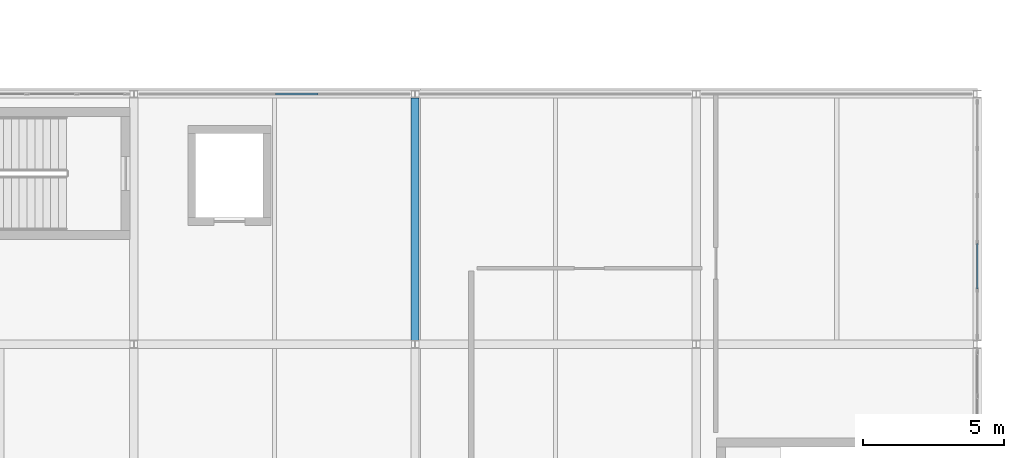
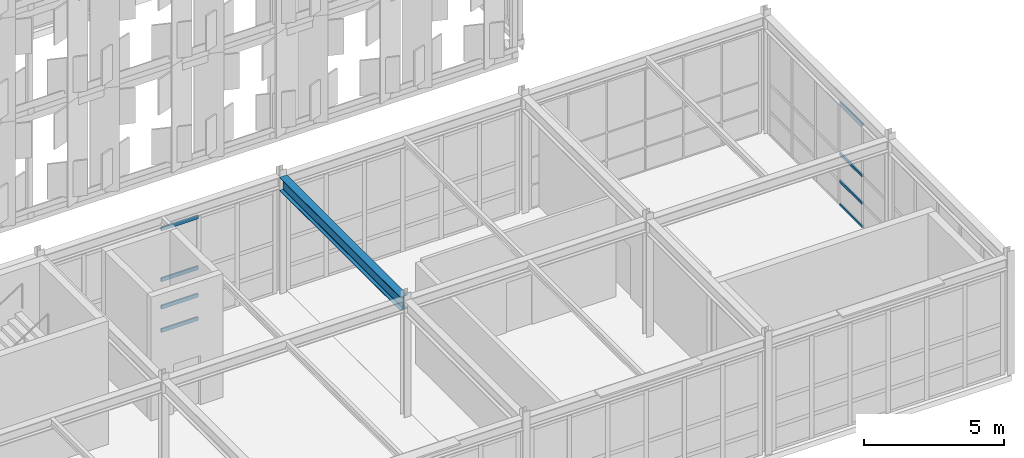
# One storey, part 152 of 239: 8 members, 1 beam, 2 elements without a shape of their own.
"""IFC4 building model written with IfcOpenShell, lengths in metres."""

from ifc_helpers import new_model, si_unit, direction, frame, origin, origin_2d, place, context, subcontext, project, spatial, hollow_rectangle, i_section, extrude, material, material_profile, profile_set, type_object, element, aggregate, save


model = new_model("IFC4")

# Units and contexts
model_context = context("Model", 3, precision=1e-05, world=origin(), true_north=direction((0.0, 1.0)))
body_context = subcontext(model_context, "Body", "Model", "MODEL_VIEW")
ifc_project = project(units=[si_unit("LENGTHUNIT", "METRE"), si_unit("AREAUNIT", "SQUARE_METRE"), si_unit("VOLUMEUNIT", "CUBIC_METRE"), si_unit("PLANEANGLEUNIT", "RADIAN"), si_unit("MASSUNIT", "GRAM", prefix="KILO")], contexts=[model_context])

# Site, building, storey
site_placement = place(None, origin())
site = spatial("IfcSite", under=ifc_project, at=site_placement, CompositionType="ELEMENT")
building_placement = place(site_placement, origin())
building = spatial("IfcBuilding", under=site, at=building_placement, Name="Kaldris Quays Convention Centre", CompositionType="ELEMENT")
storey_placement = place(building_placement, frame((0.0, 0.0, 11.39990234375)))
storey = spatial("IfcBuildingStorey", under=building, at=storey_placement, Name="L02", CompositionType="ELEMENT", Elevation=11.39990234375)

# Curtain wall, members
ifc_material_1 = material(Name="Anodized aluminium AW-6060 and triple glazing", Category="aluminium")
curtain_wall_type = type_object("IfcCurtainWallType", Name="UNITISED CURTAIN WALL CW02", PredefinedType="NOTDEFINED", material=ifc_material_1)
curtain_wall_1_placement = place(storey_placement, origin())
curtain_wall_1 = element("IfcCurtainWall", 1, at=curtain_wall_1_placement, inside=storey, type_object=curtain_wall_type, Name="L02 Unitised Curtain Wall CW02 212", PredefinedType="NOTDEFINED")
ifc_material_2 = material(Name="Anodized aluminium AW-6060", Category="aluminium")
ifc_material_profile_1 = material_profile(ifc_material_2, hollow_rectangle(XDim=0.06005859375, YDim=0.1201171875, WallThickness=0.00390625, at=origin_2d()), Name="RHS 120x60x4")
ifc_profile_set_1 = profile_set([ifc_material_profile_1], Name="Anodized aluminium AW-6060")
member_type_1 = type_object("IfcMemberType", Name="CURTAIN TRANSOM CWT1", PredefinedType="USERDEFINED", material=ifc_profile_set_1)
member_1_placement = place(storey_placement, frame((204.0, 30.4599609375, 0.030029296875), z_axis=(0.0, 1.0, 0.0), x_axis=(-1.0, 0.0, 0.0)))
member_1 = element("IfcMember", 2, at=member_1_placement, type_object=member_type_1, Name="CW02 transom 2.1", ObjectType="TRANSOM", PredefinedType="USERDEFINED", context=body_context, shape_type="SweptSolid", body=[
    extrude(hollow_rectangle(XDim=0.06005859375, YDim=0.1201171875, WallThickness=0.00390625, at=origin_2d()), origin(), (0.0, 0.0, 1.0), 1.6201171875),
])
member_2_placement = place(storey_placement, frame((204.0, 30.4599609375, 1.050048828125), z_axis=(0.0, 1.0, 0.0), x_axis=(-1.0, 0.0, 0.0)))
member_2 = element("IfcMember", 3, at=member_2_placement, type_object=member_type_1, Name="CW02 transom 2.2", ObjectType="TRANSOM", PredefinedType="USERDEFINED", context=body_context, shape_type="SweptSolid", body=[
    extrude(hollow_rectangle(XDim=0.06005859375, YDim=0.1201171875, WallThickness=0.00390625, at=origin_2d()), origin(), (0.0, 0.0, 1.0), 1.6201171875),
])
member_3_placement = place(storey_placement, frame((204.0, 30.4599609375, 2.2490234375), z_axis=(0.0, 1.0, 0.0), x_axis=(-1.0, 0.0, 0.0)))
member_3 = element("IfcMember", 4, at=member_3_placement, type_object=member_type_1, Name="CW02 transom 2.3", ObjectType="TRANSOM", PredefinedType="USERDEFINED", context=body_context, shape_type="SweptSolid", body=[
    extrude(hollow_rectangle(XDim=0.06005859375, YDim=0.1201171875, WallThickness=0.00390625, at=origin_2d()), origin(), (0.0, 0.0, 1.0), 1.6201171875),
])
member_4_placement = place(storey_placement, frame((204.0, 30.4599609375, 4.468017578125), z_axis=(0.0, 1.0, 0.0), x_axis=(-1.0, 0.0, 0.0)))
member_4 = element("IfcMember", 5, at=member_4_placement, type_object=member_type_1, Name="CW02 transom 2.4", ObjectType="TRANSOM", PredefinedType="USERDEFINED", context=body_context, shape_type="SweptSolid", body=[
    extrude(hollow_rectangle(XDim=0.06005859375, YDim=0.1201171875, WallThickness=0.00390625, at=origin_2d()), origin(), (0.0, 0.0, 1.0), 1.6201171875),
])
aggregate(curtain_wall_1, [member_1, member_2, member_3, member_4])

curtain_wall_2_placement = place(storey_placement, origin())
curtain_wall_2 = element("IfcCurtainWall", 6, at=curtain_wall_2_placement, inside=storey, type_object=curtain_wall_type, Name="L02 Unitised Curtain Wall CW02 204", PredefinedType="NOTDEFINED")
ifc_material_profile_2 = material_profile(ifc_material_2, hollow_rectangle(XDim=0.06005859375, YDim=0.159912109375, WallThickness=0.00390625, at=origin_2d()), Name="RHS 160x60x4")
ifc_profile_set_2 = profile_set([ifc_material_profile_2], Name="Anodized aluminium AW-6060")
member_type_2 = type_object("IfcMemberType", Name="CURTAIN TRANSOM CWT2", PredefinedType="USERDEFINED", material=ifc_profile_set_2)
member_5_placement = place(storey_placement, frame((179.030029296875, 37.39990234375, 0.030029296875), z_axis=(1.0, 0.0, 0.0), x_axis=(0.0, 1.0, 0.0)))
member_5 = element("IfcMember", 7, at=member_5_placement, type_object=member_type_2, Name="CW02 transom 4.1", ObjectType="TRANSOM", PredefinedType="USERDEFINED", context=body_context, shape_type="SweptSolid", body=[
    extrude(hollow_rectangle(XDim=0.06005859375, YDim=0.159912109375, WallThickness=0.00390625, at=origin_2d()), origin(), (0.0, 0.0, 1.0), 1.523193359375),
])
member_6_placement = place(storey_placement, frame((179.030029296875, 37.39990234375, 1.050048828125), z_axis=(1.0, 0.0, 0.0), x_axis=(0.0, 1.0, 0.0)))
member_6 = element("IfcMember", 8, at=member_6_placement, type_object=member_type_2, Name="CW02 transom 4.2", ObjectType="TRANSOM", PredefinedType="USERDEFINED", context=body_context, shape_type="SweptSolid", body=[
    extrude(hollow_rectangle(XDim=0.06005859375, YDim=0.159912109375, WallThickness=0.00390625, at=origin_2d()), origin(), (0.0, 0.0, 1.0), 1.523193359375),
])
member_7_placement = place(storey_placement, frame((179.030029296875, 37.39990234375, 2.2490234375), z_axis=(1.0, 0.0, 0.0), x_axis=(0.0, 1.0, 0.0)))
member_7 = element("IfcMember", 9, at=member_7_placement, type_object=member_type_2, Name="CW02 transom 4.3", ObjectType="TRANSOM", PredefinedType="USERDEFINED", context=body_context, shape_type="SweptSolid", body=[
    extrude(hollow_rectangle(XDim=0.06005859375, YDim=0.159912109375, WallThickness=0.00390625, at=origin_2d()), origin(), (0.0, 0.0, 1.0), 1.523193359375),
])
member_8_placement = place(storey_placement, frame((179.030029296875, 37.39990234375, 4.468017578125), z_axis=(1.0, 0.0, 0.0), x_axis=(0.0, 1.0, 0.0)))
member_8 = element("IfcMember", 10, at=member_8_placement, type_object=member_type_2, Name="CW02 transom 4.4", ObjectType="TRANSOM", PredefinedType="USERDEFINED", context=body_context, shape_type="SweptSolid", body=[
    extrude(hollow_rectangle(XDim=0.06005859375, YDim=0.159912109375, WallThickness=0.00390625, at=origin_2d()), origin(), (0.0, 0.0, 1.0), 1.523193359375),
])
aggregate(curtain_wall_2, [member_5, member_6, member_7, member_8])

# Beam
ifc_material_3 = material(Name="Steel S355J2", Category="steel")
ifc_material_profile_3 = material_profile(ifc_material_3, i_section(OverallWidth=0.300048828125, OverallDepth=0.590087890625, WebThickness=0.012939453125, FlangeThickness=0.02490234375, FilletRadius=0.027099609375, at=origin_2d()), Name="HEA 600")
ifc_profile_set_3 = profile_set([ifc_material_profile_3], Name="Steel S355J2")
beam_type = type_object("IfcBeamType", Name="STRUCTURAL BEAM BM08", PredefinedType="BEAM", material=ifc_profile_set_3)
beam_placement = place(storey_placement, frame((184.0, 28.634033203125, 4.818115234375), z_axis=(0.0, 1.0, 0.0), x_axis=(-1.0, 0.0, 0.0)))
element("IfcBeam", 11, at=beam_placement, inside=storey, type_object=beam_type, Name="L02 Girder BM08 23", PredefinedType="BEAM", context=body_context, shape_type="SweptSolid", body=[
    extrude(i_section(OverallWidth=0.300048828125, OverallDepth=0.590087890625, WebThickness=0.012939453125, FlangeThickness=0.02490234375, FilletRadius=0.027099609375, at=origin_2d()), origin(), (0.0, 0.0, 1.0), 8.632080078125),
])

save(model, "model.ifc")
